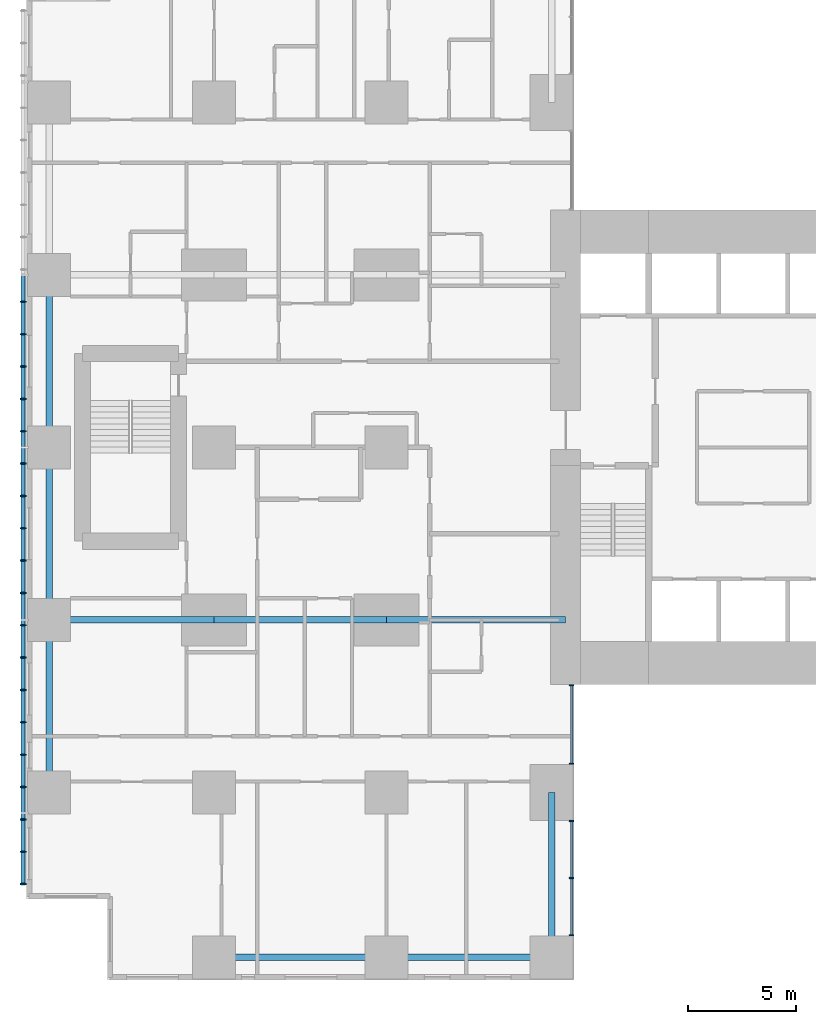
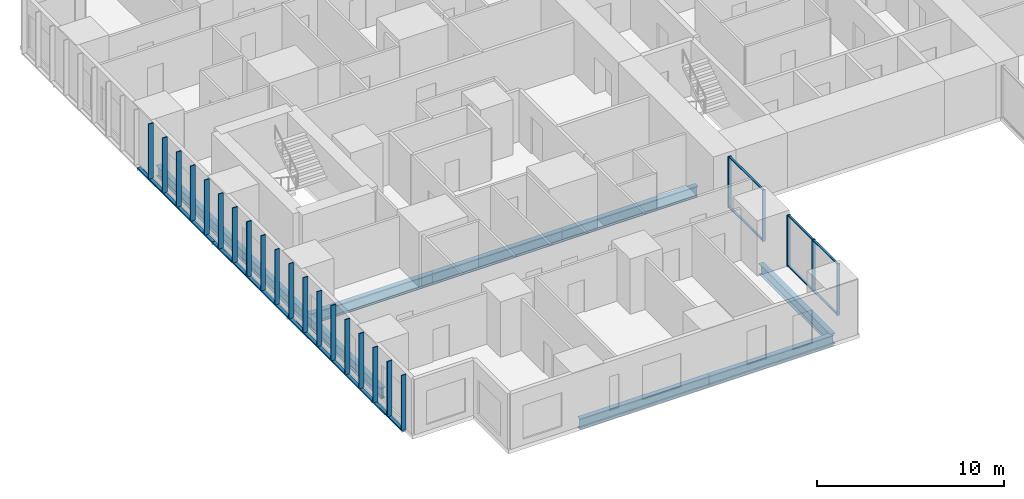
# One storey, part 2 of 21: 33 members, 9 beams, 2 elements without a shape of their own.
"""IFC4 building model written with IfcOpenShell, lengths in metres."""

from ifc_helpers import new_model, si_unit, direction, frame, origin, origin_2d, place, context, subcontext, project, spatial, rectangle, hollow_rectangle, i_section, extrude, material, layer, layer_set, material_profile, profile_set, type_object, element, aggregate, save


model = new_model("IFC4")

# Units and contexts
model_context = context("Model", 3, precision=1e-05, world=origin(), true_north=direction((0.0, 1.0)))
body_context = subcontext(model_context, "Body", "Model", "MODEL_VIEW")
ifc_project = project(units=[si_unit("LENGTHUNIT", "METRE"), si_unit("AREAUNIT", "SQUARE_METRE"), si_unit("VOLUMEUNIT", "CUBIC_METRE"), si_unit("PLANEANGLEUNIT", "RADIAN"), si_unit("MASSUNIT", "GRAM", prefix="KILO")], contexts=[model_context])

# Site, building, storey
site_placement = place(None, origin())
site = spatial("IfcSite", under=ifc_project, at=site_placement, CompositionType="ELEMENT")
building_placement = place(site_placement, origin())
building = spatial("IfcBuilding", under=site, at=building_placement, Name="Cleftline Residences", CompositionType="ELEMENT")
storey_placement = place(building_placement, frame((0.0, 0.0, 128.60009765625)))
storey = spatial("IfcBuildingStorey", under=building, at=storey_placement, Name="L33", CompositionType="ELEMENT", Elevation=128.60009765625)

# Members
ifc_material_1 = material(Name="Steel S355, hot-dip galvanised", Category="steel")
ifc_material_profile_1 = material_profile(ifc_material_1, hollow_rectangle(XDim=0.10009765625, YDim=0.199951171875, WallThickness=0.008056640625, InnerFilletRadius=0.008056640625, OuterFilletRadius=0.011962890625, at=origin_2d()))
ifc_profile_set_1 = profile_set([ifc_material_profile_1], Name="Steel S355, hot-dip galvanised")
member_type_1 = type_object("IfcMemberType", Name="BAGUETTE CARRIER RHS 200X100X8", PredefinedType="USERDEFINED", material=ifc_profile_set_1)
for number, where, z_axis, x_axis, name in (
    (1, (-0.85009765625, 32.0, -0.050048828125), (0.0, -1.0, 0.0), (0.0, 0.0, 1.0), "Baguette carrier"),
    (2, (-0.85009765625, 24.0, -0.050048828125), (0.0, -1.0, 0.0), (0.0, 0.0, 1.0), "Baguette carrier"),
):
    element("IfcMember", number, at=place(storey_placement, frame(where, z_axis=z_axis, x_axis=x_axis)), inside=storey, type_object=member_type_1, Name=name, ObjectType="BAGUETTE CARRIER", PredefinedType="USERDEFINED", context=body_context, shape_type="SweptSolid", body=[
        extrude(hollow_rectangle(XDim=0.10009765625, YDim=0.199951171875, WallThickness=0.008056640625, InnerFilletRadius=0.008056640625, OuterFilletRadius=0.011962890625, at=origin_2d()), origin(), (0.0, 0.0, 1.0), 8.0),
    ])
member_1_placement = place(storey_placement, frame((-0.85009765625, 16.0, -0.050048828125), z_axis=(0.0, -1.0, 0.0), x_axis=(0.0, 0.0, 1.0)))
element("IfcMember", 3, at=member_1_placement, inside=storey, type_object=member_type_1, Name="Baguette carrier", ObjectType="BAGUETTE CARRIER", PredefinedType="USERDEFINED", context=body_context, shape_type="SweptSolid", body=[
    extrude(hollow_rectangle(XDim=0.10009765625, YDim=0.199951171875, WallThickness=0.008056640625, InnerFilletRadius=0.008056640625, OuterFilletRadius=0.011962890625, at=origin_2d()), origin(), (0.0, 0.0, 1.0), 12.300048828125),
])

# Beams
ifc_material_2 = material(Name="Steel S355", Category="steel")
ifc_material_profile_2 = material_profile(ifc_material_2, i_section(OverallWidth=0.300048828125, OverallDepth=0.699951171875, WebThickness=0.01708984375, FlangeThickness=0.031982421875, FilletRadius=0.027099609375, at=origin_2d()))
ifc_profile_set_2 = profile_set([ifc_material_profile_2], Name="Steel S355")
beam_type_1 = type_object("IfcBeamType", Name="BEAM HEB 700", PredefinedType="BEAM", material=ifc_profile_set_2)
for number, where, z_axis, x_axis, name in (
    (4, (0.35009765625, 8.0, -0.60009765625), (0.0, 1.0, 0.0), (-1.0, 0.0, 0.0), "Edge beam"),
    (5, (0.35009765625, 16.0, -0.60009765625), (0.0, 1.0, 0.0), (-1.0, 0.0, 0.0), "Edge beam"),
    (6, (0.35009765625, 24.0, -0.60009765625), (0.0, 1.0, 0.0), (-1.0, 0.0, 0.0), "Edge beam"),
    (7, (8.0, 0.35009765625, -0.60009765625), (1.0, 0.0, 0.0), (0.0, 1.0, 0.0), "Edge beam"),
):
    element("IfcBeam", number, at=place(storey_placement, frame(where, z_axis=z_axis, x_axis=x_axis)), inside=storey, type_object=beam_type_1, Name=name, PredefinedType="BEAM", context=body_context, shape_type="SweptSolid", body=[
        extrude(i_section(OverallWidth=0.300048828125, OverallDepth=0.699951171875, WebThickness=0.01708984375, FlangeThickness=0.031982421875, FilletRadius=0.027099609375, at=origin_2d()), origin(), (0.0, 0.0, 1.0), 8.0),
    ])
for number, where, z_axis, x_axis, name in (
    (8, (16.0, 0.35009765625, -0.60009765625), (1.0, 0.0, 0.0), (0.0, 1.0, 0.0), "Edge beam"),
    (9, (23.64990234375, 0.35009765625, -0.60009765625), (0.0, 1.0, 0.0), (-1.0, 0.0, 0.0), "Edge beam"),
):
    element("IfcBeam", number, at=place(storey_placement, frame(where, z_axis=z_axis, x_axis=x_axis)), inside=storey, type_object=beam_type_1, Name=name, PredefinedType="BEAM", context=body_context, shape_type="SweptSolid", body=[
        extrude(i_section(OverallWidth=0.300048828125, OverallDepth=0.699951171875, WebThickness=0.01708984375, FlangeThickness=0.031982421875, FilletRadius=0.027099609375, at=origin_2d()), origin(), (0.0, 0.0, 1.0), 7.64990234375),
    ])
ifc_material_3 = material(Name="Steel S355", Category="steel")
ifc_material_profile_3 = material_profile(ifc_material_3, i_section(OverallWidth=0.303955078125, OverallDepth=0.716064453125, WebThickness=0.02099609375, FlangeThickness=0.0400390625, FilletRadius=0.027099609375, at=origin_2d()))
ifc_profile_set_3 = profile_set([ifc_material_profile_3], Name="Steel S355")
beam_type_2 = type_object("IfcBeamType", Name="BEAM HEM 700", PredefinedType="BEAM", material=ifc_profile_set_3)
beam_1_placement = place(storey_placement, frame((0.35009765625, 16.0, -0.608154296875), z_axis=(1.0, 0.0, 0.0), x_axis=(0.0, 1.0, 0.0)))
element("IfcBeam", 10, at=beam_1_placement, inside=storey, type_object=beam_type_2, Name="Band beam", PredefinedType="BEAM", context=body_context, shape_type="SweptSolid", body=[
    extrude(i_section(OverallWidth=0.303955078125, OverallDepth=0.716064453125, WebThickness=0.02099609375, FlangeThickness=0.0400390625, FilletRadius=0.027099609375, at=origin_2d()), origin(), (0.0, 0.0, 1.0), 7.64990234375),
])
beam_2_placement = place(storey_placement, frame((8.0, 16.0, -0.608154296875), z_axis=(1.0, 0.0, 0.0), x_axis=(0.0, 1.0, 0.0)))
element("IfcBeam", 11, at=beam_2_placement, inside=storey, type_object=beam_type_2, Name="Band beam", PredefinedType="BEAM", context=body_context, shape_type="SweptSolid", body=[
    extrude(i_section(OverallWidth=0.303955078125, OverallDepth=0.716064453125, WebThickness=0.02099609375, FlangeThickness=0.0400390625, FilletRadius=0.027099609375, at=origin_2d()), origin(), (0.0, 0.0, 1.0), 8.0),
])
beam_3_placement = place(storey_placement, frame((16.0, 16.0, -0.608154296875), z_axis=(1.0, 0.0, 0.0), x_axis=(0.0, 1.0, 0.0)))
element("IfcBeam", 12, at=beam_3_placement, inside=storey, type_object=beam_type_2, Name="Band beam", PredefinedType="BEAM", context=body_context, shape_type="SweptSolid", body=[
    extrude(i_section(OverallWidth=0.303955078125, OverallDepth=0.716064453125, WebThickness=0.02099609375, FlangeThickness=0.0400390625, FilletRadius=0.027099609375, at=origin_2d()), origin(), (0.0, 0.0, 1.0), 8.300048828125),
])

# Curtain wall, members
ifc_material_4 = material(Name="Aluminium framed curtain wall", Category="aluminium")
ifc_layer = layer(ifc_material_4, 0.199951171875)
ifc_layer_set = layer_set([ifc_layer], Name="CW1 CLEFT GLAZING")
curtain_wall_type = type_object("IfcCurtainWallType", Name="CW1 CLEFT GLAZING", PredefinedType="NOTDEFINED", material=ifc_layer_set)
curtain_wall_1_placement = place(storey_placement, origin())
curtain_wall_1 = element("IfcCurtainWall", 13, at=curtain_wall_1_placement, inside=storey, type_object=curtain_wall_type, Name="Curtain wall CW1", PredefinedType="NOTDEFINED")
ifc_material_5 = material(Name="Aluminium mullion", Category="aluminium")
ifc_material_profile_4 = material_profile(ifc_material_5, rectangle(XDim=0.199951171875, YDim=0.06005859375, at=origin_2d()))
ifc_profile_set_4 = profile_set([ifc_material_profile_4], Name="Aluminium mullion")
member_type_2 = type_object("IfcMemberType", Name="CW1 MULLION", PredefinedType="MULLION", material=ifc_profile_set_4)
member_2_placement = place(storey_placement, frame((24.574951171875, 1.3798828125, 0.0), z_axis=(0.0, 0.0, 1.0), x_axis=(-1.0, 0.0, 0.0)))
member_2 = element("IfcMember", 14, at=member_2_placement, type_object=member_type_2, Name="CW1 mullion 1", PredefinedType="MULLION", context=body_context, shape_type="SweptSolid", body=[
    extrude(rectangle(XDim=0.199951171875, YDim=0.06005859375, at=origin_2d()), origin(), (0.0, 0.0, 1.0), 3.349853515625),
])
member_3_placement = place(storey_placement, frame((24.574951171875, 4.02490234375, 0.0), z_axis=(0.0, 0.0, 1.0), x_axis=(-1.0, 0.0, 0.0)))
member_3 = element("IfcMember", 15, at=member_3_placement, type_object=member_type_2, Name="CW1 mullion 2", PredefinedType="MULLION", context=body_context, shape_type="SweptSolid", body=[
    extrude(rectangle(XDim=0.199951171875, YDim=0.06005859375, at=origin_2d()), origin(), (0.0, 0.0, 1.0), 3.349853515625),
])
member_4_placement = place(storey_placement, frame((24.574951171875, 6.669921875, 0.0), z_axis=(0.0, 0.0, 1.0), x_axis=(-1.0, 0.0, 0.0)))
member_4 = element("IfcMember", 16, at=member_4_placement, type_object=member_type_2, Name="CW1 mullion 3", PredefinedType="MULLION", context=body_context, shape_type="SweptSolid", body=[
    extrude(rectangle(XDim=0.199951171875, YDim=0.06005859375, at=origin_2d()), origin(), (0.0, 0.0, 1.0), 3.349853515625),
])

curtain_wall_2_placement = place(storey_placement, origin())
curtain_wall_2 = element("IfcCurtainWall", 17, at=curtain_wall_2_placement, inside=storey, type_object=curtain_wall_type, Name="Curtain wall CW1", PredefinedType="NOTDEFINED")
member_5_placement = place(storey_placement, frame((24.574951171875, 9.330078125, 0.0), z_axis=(0.0, 0.0, 1.0), x_axis=(-1.0, 0.0, 0.0)))
member_5 = element("IfcMember", 18, at=member_5_placement, type_object=member_type_2, Name="CW1 mullion 1", PredefinedType="MULLION", context=body_context, shape_type="SweptSolid", body=[
    extrude(rectangle(XDim=0.199951171875, YDim=0.06005859375, at=origin_2d()), origin(), (0.0, 0.0, 1.0), 3.349853515625),
])
member_6_placement = place(storey_placement, frame((24.574951171875, 12.969970703125, 0.0), z_axis=(0.0, 0.0, 1.0), x_axis=(-1.0, 0.0, 0.0)))
member_6 = element("IfcMember", 19, at=member_6_placement, type_object=member_type_2, Name="CW1 mullion 2", PredefinedType="MULLION", context=body_context, shape_type="SweptSolid", body=[
    extrude(rectangle(XDim=0.199951171875, YDim=0.06005859375, at=origin_2d()), origin(), (0.0, 0.0, 1.0), 3.349853515625),
])

# Member
ifc_material_6 = material(Name="Aluminium transom", Category="aluminium")
ifc_material_profile_5 = material_profile(ifc_material_6, rectangle(XDim=0.1201171875, YDim=0.06005859375, at=origin_2d()))
ifc_profile_set_5 = profile_set([ifc_material_profile_5], Name="Aluminium transom")
member_type_3 = type_object("IfcMemberType", Name="CW1 TRANSOM", PredefinedType="USERDEFINED", material=ifc_profile_set_5)
member_7_placement = place(storey_placement, frame((24.574951171875, 1.409912109375, 0.02978515625), z_axis=(0.0, 1.0, 0.0), x_axis=(-1.0, 0.0, 0.0)))
member_7 = element("IfcMember", 20, at=member_7_placement, type_object=member_type_3, Name="CW1 transom 1.1", ObjectType="TRANSOM", PredefinedType="USERDEFINED", context=body_context, shape_type="SweptSolid", body=[
    extrude(rectangle(XDim=0.1201171875, YDim=0.06005859375, at=origin_2d()), origin(), (0.0, 0.0, 1.0), 2.585205078125),
])

member_8_placement = place(storey_placement, frame((24.574951171875, 1.409912109375, 3.31982421875), z_axis=(0.0, 1.0, 0.0), x_axis=(-1.0, 0.0, 0.0)))
member_8 = element("IfcMember", 21, at=member_8_placement, type_object=member_type_3, Name="CW1 transom 1.2", ObjectType="TRANSOM", PredefinedType="USERDEFINED", context=body_context, shape_type="SweptSolid", body=[
    extrude(rectangle(XDim=0.1201171875, YDim=0.06005859375, at=origin_2d()), origin(), (0.0, 0.0, 1.0), 2.585205078125),
])

member_9_placement = place(storey_placement, frame((24.574951171875, 4.054931640625, 0.02978515625), z_axis=(0.0, 1.0, 0.0), x_axis=(-1.0, 0.0, 0.0)))
member_9 = element("IfcMember", 22, at=member_9_placement, type_object=member_type_3, Name="CW1 transom 2.1", ObjectType="TRANSOM", PredefinedType="USERDEFINED", context=body_context, shape_type="SweptSolid", body=[
    extrude(rectangle(XDim=0.1201171875, YDim=0.06005859375, at=origin_2d()), origin(), (0.0, 0.0, 1.0), 2.5849609375),
])

member_10_placement = place(storey_placement, frame((24.574951171875, 4.054931640625, 3.31982421875), z_axis=(0.0, 1.0, 0.0), x_axis=(-1.0, 0.0, 0.0)))
member_10 = element("IfcMember", 23, at=member_10_placement, type_object=member_type_3, Name="CW1 transom 2.2", ObjectType="TRANSOM", PredefinedType="USERDEFINED", context=body_context, shape_type="SweptSolid", body=[
    extrude(rectangle(XDim=0.1201171875, YDim=0.06005859375, at=origin_2d()), origin(), (0.0, 0.0, 1.0), 2.5849609375),
])

aggregate(curtain_wall_1, [member_2, member_3, member_4, member_7, member_8, member_9, member_10])

member_11_placement = place(storey_placement, frame((24.574951171875, 9.360107421875, 0.02978515625), z_axis=(0.0, 1.0, 0.0), x_axis=(-1.0, 0.0, 0.0)))
member_11 = element("IfcMember", 24, at=member_11_placement, type_object=member_type_3, Name="CW1 transom 1.1", ObjectType="TRANSOM", PredefinedType="USERDEFINED", context=body_context, shape_type="SweptSolid", body=[
    extrude(rectangle(XDim=0.1201171875, YDim=0.06005859375, at=origin_2d()), origin(), (0.0, 0.0, 1.0), 3.579833984375),
])

member_12_placement = place(storey_placement, frame((24.574951171875, 9.360107421875, 3.31982421875), z_axis=(0.0, 1.0, 0.0), x_axis=(-1.0, 0.0, 0.0)))
member_12 = element("IfcMember", 25, at=member_12_placement, type_object=member_type_3, Name="CW1 transom 1.2", ObjectType="TRANSOM", PredefinedType="USERDEFINED", context=body_context, shape_type="SweptSolid", body=[
    extrude(rectangle(XDim=0.1201171875, YDim=0.06005859375, at=origin_2d()), origin(), (0.0, 0.0, 1.0), 3.579833984375),
])

aggregate(curtain_wall_2, [member_5, member_6, member_11, member_12])

# Members
ifc_material_7 = material(Name="Extruded terracotta", Category="masonry")
ifc_material_profile_6 = material_profile(ifc_material_7, rectangle(XDim=0.06005859375, YDim=0.300048828125, at=origin_2d()))
ifc_profile_set_6 = profile_set([ifc_material_profile_6], Name="Extruded terracotta")
member_type_4 = type_object("IfcMemberType", Name="TERRACOTTA BAGUETTE 60X300", PredefinedType="USERDEFINED", material=ifc_profile_set_6)
for number, where, z_axis, x_axis, name in (
    (26, (-0.85009765625, 30.75, 0.0), (0.0, 0.0, 1.0), (0.0, 1.0, 0.0), "Terracotta baguette"),
    (27, (-0.85009765625, 29.25, 0.0), (0.0, 0.0, 1.0), (0.0, 1.0, 0.0), "Terracotta baguette"),
    (28, (-0.85009765625, 27.75, 0.0), (0.0, 0.0, 1.0), (0.0, 1.0, 0.0), "Terracotta baguette"),
    (29, (-0.85009765625, 26.25, 0.0), (0.0, 0.0, 1.0), (0.0, 1.0, 0.0), "Terracotta baguette"),
    (30, (-0.85009765625, 24.75, 0.0), (0.0, 0.0, 1.0), (0.0, 1.0, 0.0), "Terracotta baguette"),
    (31, (-0.85009765625, 23.25, 0.0), (0.0, 0.0, 1.0), (0.0, 1.0, 0.0), "Terracotta baguette"),
    (32, (-0.85009765625, 21.75, 0.0), (0.0, 0.0, 1.0), (0.0, 1.0, 0.0), "Terracotta baguette"),
    (33, (-0.85009765625, 20.25, 0.0), (0.0, 0.0, 1.0), (0.0, 1.0, 0.0), "Terracotta baguette"),
    (34, (-0.85009765625, 18.75, 0.0), (0.0, 0.0, 1.0), (0.0, 1.0, 0.0), "Terracotta baguette"),
    (35, (-0.85009765625, 17.25, 0.0), (0.0, 0.0, 1.0), (0.0, 1.0, 0.0), "Terracotta baguette"),
    (36, (-0.85009765625, 15.75, 0.0), (0.0, 0.0, 1.0), (0.0, 1.0, 0.0), "Terracotta baguette"),
    (37, (-0.85009765625, 14.25, 0.0), (0.0, 0.0, 1.0), (0.0, 1.0, 0.0), "Terracotta baguette"),
    (38, (-0.85009765625, 12.75, 0.0), (0.0, 0.0, 1.0), (0.0, 1.0, 0.0), "Terracotta baguette"),
    (39, (-0.85009765625, 11.25, 0.0), (0.0, 0.0, 1.0), (0.0, 1.0, 0.0), "Terracotta baguette"),
    (40, (-0.85009765625, 9.75, 0.0), (0.0, 0.0, 1.0), (0.0, 1.0, 0.0), "Terracotta baguette"),
    (41, (-0.85009765625, 8.25, 0.0), (0.0, 0.0, 1.0), (0.0, 1.0, 0.0), "Terracotta baguette"),
    (42, (-0.85009765625, 6.75, 0.0), (0.0, 0.0, 1.0), (0.0, 1.0, 0.0), "Terracotta baguette"),
    (43, (-0.85009765625, 5.25, 0.0), (0.0, 0.0, 1.0), (0.0, 1.0, 0.0), "Terracotta baguette"),
    (44, (-0.85009765625, 3.75, 0.0), (0.0, 0.0, 1.0), (0.0, 1.0, 0.0), "Terracotta baguette"),
):
    element("IfcMember", number, at=place(storey_placement, frame(where, z_axis=z_axis, x_axis=x_axis)), inside=storey, type_object=member_type_4, Name=name, ObjectType="BAGUETTE", PredefinedType="USERDEFINED", context=body_context, shape_type="SweptSolid", body=[
        extrude(rectangle(XDim=0.06005859375, YDim=0.300048828125, at=origin_2d()), origin(), (0.0, 0.0, 1.0), 3.599853515625),
    ])

save(model, "model.ifc")
